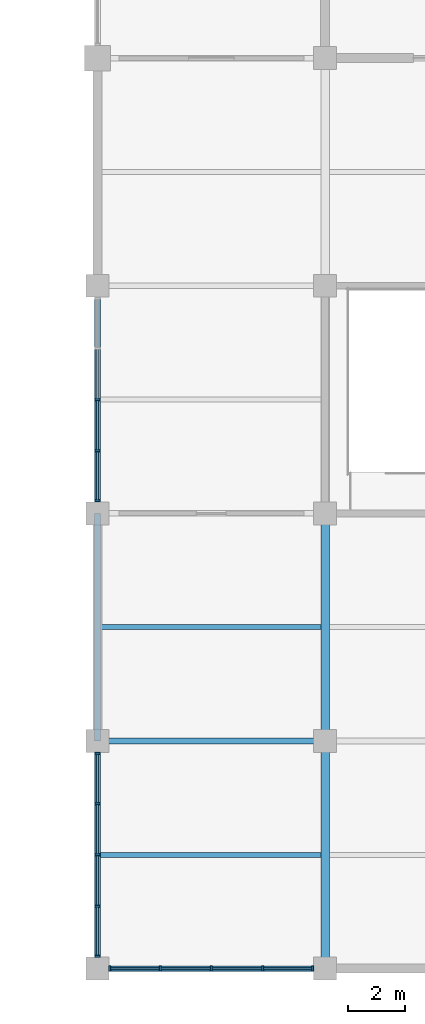
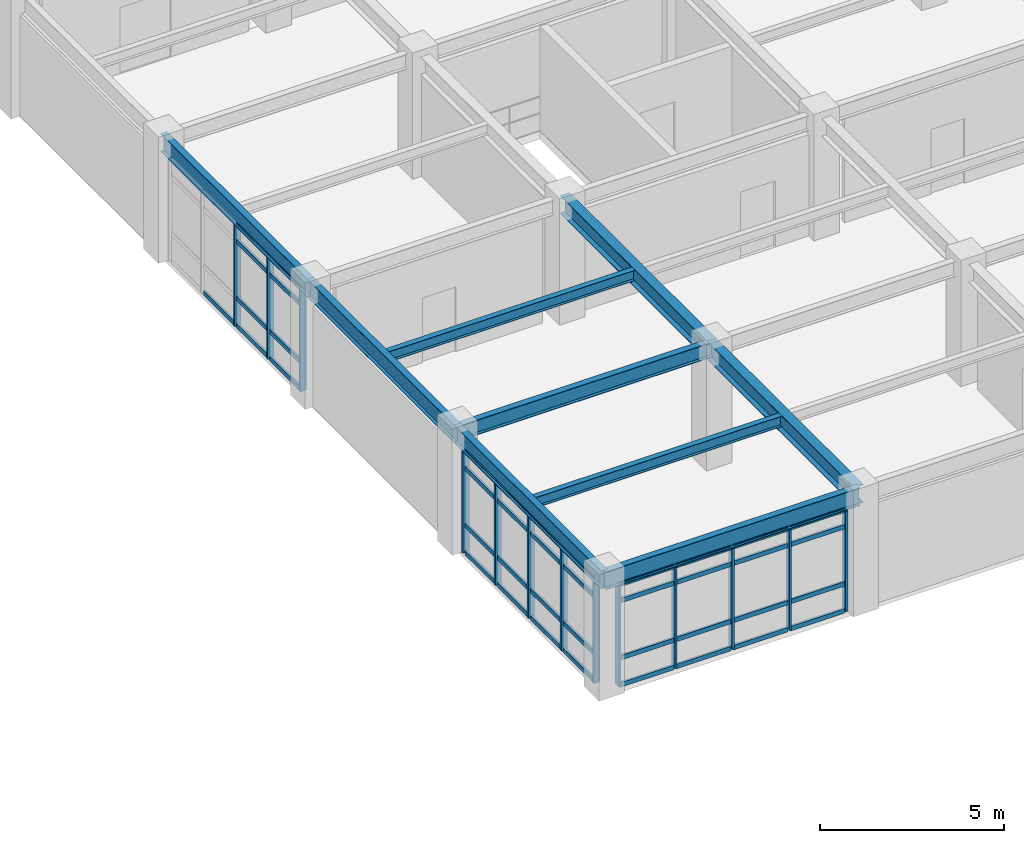
# One storey, part 33 of 118: 54 members, 9 beams, 3 elements without a shape of their own.
"""IFC4 building model written with IfcOpenShell, lengths in metres."""

import ifcopenshell
import ifcopenshell.guid

model = None  # the IFC model being written
_history = None  # IfcOwnerHistory: only IFC2X3 demands one
_inside = {}  # id of a spatial element -> (the spatial element, [elements in it])
_under = {}  # id of a project, library or spatial element -> (it, [spatial elements below it])
_declared = {}  # id of a project -> (the project, [libraries it declares])
_typed = {}  # id of a type object -> (the type object, [elements of that type])
_made_of = {}  # id of a material, layer set ... -> (it, [elements and type objects made of it])


def new_model(schema):
    """Start an empty IFC model of exactly this schema.

    Asked for "IFC4X3", IfcOpenShell would pick the latest addendum, in which some entities
    have other attributes; the version numbers below select the first issue.
    IFC2X3 requires an IfcOwnerHistory on every rooted entity: one is made here for all.
    """
    global model, _history
    if schema == "IFC4X3":
        model = ifcopenshell.file(schema_version=(4, 3, 0, 0))
    else:
        model = ifcopenshell.file(schema=schema)
    _inside.clear()
    _under.clear()
    _declared.clear()
    _typed.clear()
    _made_of.clear()
    _history = None
    if model.schema == "IFC2X3":
        org = make("IfcOrganization", Name="unknown")
        user = make(
            "IfcPersonAndOrganization",
            ThePerson=make("IfcPerson", FamilyName="unknown"),
            TheOrganization=org,
        )
        app = make(
            "IfcApplication",
            ApplicationDeveloper=org,
            Version="unknown",
            ApplicationFullName="unknown",
            ApplicationIdentifier="unknown",
        )
        _history = make(
            "IfcOwnerHistory",
            OwningUser=user,
            OwningApplication=app,
            ChangeAction="ADDED",
            CreationDate=0,
        )
    return model


def make(cls, **values):
    """One entity of the class cls with the attributes given. An attribute that is None is left unset."""
    return model.create_entity(
        cls, **{name: value for name, value in values.items() if value is not None}
    )


def rooted(cls, **values):
    """An entity with a GlobalId (a new one), such as an element, a storey or a relation."""
    return make(cls, GlobalId=ifcopenshell.guid.new(), OwnerHistory=_history, **values)


def si_unit(unit_type, name, prefix=None):
    """IfcSIUnit, for example si_unit("LENGTHUNIT", "METRE", prefix="MILLI")."""
    return make("IfcSIUnit", UnitType=unit_type, Prefix=prefix, Name=name)


def assignment(units):
    """IfcUnitAssignment: the units of a project."""
    return None if units is None else make("IfcUnitAssignment", Units=units)


def point(xyz):
    """IfcCartesianPoint."""
    return None if xyz is None else make("IfcCartesianPoint", Coordinates=xyz)


def direction(xyz):
    """IfcDirection."""
    return None if xyz is None else make("IfcDirection", DirectionRatios=xyz)


def frame(location, z_axis=None, x_axis=None):
    """IfcAxis2Placement3D, a coordinate frame: its origin and axes. An axis left out is left unset."""
    return make(
        "IfcAxis2Placement3D",
        Location=point(location),
        Axis=direction(z_axis),
        RefDirection=direction(x_axis),
    )


def frame_2d(location, x_axis=None):
    """IfcAxis2Placement2D, a coordinate frame in the plane: its origin and x axis."""
    return make(
        "IfcAxis2Placement2D", Location=point(location), RefDirection=direction(x_axis)
    )


def origin():
    """The frame at (0, 0, 0) with its axes left unset."""
    return frame((0.0, 0.0, 0.0))


def origin_2d():
    """The frame at (0, 0) in the plane with its x axis left unset."""
    return frame_2d((0.0, 0.0))


def place(relative_to, where):
    """IfcLocalPlacement: puts the frame where relative to a parent placement (None: the world)."""
    return make(
        "IfcLocalPlacement", PlacementRelTo=relative_to, RelativePlacement=where
    )


def context(
    kind, dimensions, precision=None, world=None, true_north=None, identifier=None
):
    """IfcGeometricRepresentationContext, for example the 3D "Model" context."""
    return make(
        "IfcGeometricRepresentationContext",
        ContextIdentifier=identifier,
        ContextType=kind,
        CoordinateSpaceDimension=dimensions,
        Precision=precision,
        WorldCoordinateSystem=world,
        TrueNorth=true_north,
    )


def subcontext(parent, identifier, kind, view, scale=None):
    """IfcGeometricRepresentationSubContext, for example "Body" below "Model"."""
    return make(
        "IfcGeometricRepresentationSubContext",
        ContextIdentifier=identifier,
        ContextType=kind,
        ParentContext=parent,
        TargetScale=scale,
        TargetView=view,
    )


def project(units=None, contexts=None):
    """IfcProject with its units and contexts."""
    return rooted(
        "IfcProject",
        Name="project",
        RepresentationContexts=contexts,
        UnitsInContext=assignment(units),
    )


def spatial(cls, under=None, at=None, **own):
    """A site, building, storey or space (cls), placed at a placement, below another one or the project."""
    s = rooted(cls, ObjectPlacement=at, **own)
    if under is not None:
        _under.setdefault(under.id(), (under, []))[1].append(s)
    return s


def profile(cls, at=None, kind="AREA", **sizes):
    """A parametric profile (cls). Its sizes go by their IFC names, for example OverallWidth=200.0."""
    return make(cls, ProfileType=kind, Position=at, **sizes)


def rectangle(**sizes):
    """IfcRectangleProfileDef."""
    return profile("IfcRectangleProfileDef", **sizes)


def i_section(**sizes):
    """IfcIShapeProfileDef."""
    return profile("IfcIShapeProfileDef", **sizes)


def extrude(swept, where, along, depth):
    """IfcExtrudedAreaSolid: the profile swept, set in the frame where, extruded along a direction by depth."""
    return make(
        "IfcExtrudedAreaSolid",
        SweptArea=swept,
        Position=where,
        ExtrudedDirection=direction(along),
        Depth=depth,
    )


def shape(context_of_items, identifier, shape_type, items):
    """IfcShapeRepresentation: the items that make up one representation, for example the "Body"."""
    return make(
        "IfcShapeRepresentation",
        ContextOfItems=context_of_items,
        RepresentationIdentifier=identifier,
        RepresentationType=shape_type,
        Items=items,
    )


def material(Name=None, Category=None):
    """IfcMaterial."""
    return make("IfcMaterial", Name=Name, Category=Category)


def layer(
    of_material, thickness, ventilated=None, Name=None, Category=None, Priority=None
):
    """IfcMaterialLayer: one layer of a wall or slab, of a material (None: an air gap)."""
    return make(
        "IfcMaterialLayer",
        Material=of_material,
        LayerThickness=thickness,
        IsVentilated=ventilated,
        Name=Name,
        Category=Category,
        Priority=Priority,
    )


def layer_set(layers, Name=None):
    """IfcMaterialLayerSet."""
    return make("IfcMaterialLayerSet", MaterialLayers=layers, LayerSetName=Name)


def material_profile(
    of_material, cross_section, Name=None, Category=None, Priority=None
):
    """IfcMaterialProfile: a cross section and its material."""
    return make(
        "IfcMaterialProfile",
        Name=Name,
        Material=of_material,
        Profile=cross_section,
        Priority=Priority,
        Category=Category,
    )


def profile_set(profiles, Name=None, composite=None):
    """IfcMaterialProfileSet."""
    return make(
        "IfcMaterialProfileSet",
        Name=Name,
        MaterialProfiles=profiles,
        CompositeProfile=composite,
    )


def made_of(thing, what):
    """Note that an element or type object is made of a material, layer set ...; save() writes the relation."""
    if what is not None:
        _made_of.setdefault(what.id(), (what, []))[1].append(thing)
    return thing


def type_object(cls, material=None, **own):
    """A type object (cls), such as IfcWallType, which elements share."""
    return made_of(rooted(cls, **own), material)


def element(
    cls,
    number,
    at=None,
    inside=None,
    cuts=None,
    type_object=None,
    material=None,
    context=None,
    identifier="Body",
    shape_type=None,
    held_by="IfcProductDefinitionShape",
    body=None,
    shapes=None,
    **own,
):
    """One element of the class cls, such as IfcWall. Its Tag is "e" and its number.

    at: its placement. inside: the storey or other place that contains it. cuts: it is an
    opening in that element (IfcRelVoidsElement). A single representation is given by context,
    identifier, shape_type and body (its items); several are given by shapes. held_by: the class
    of the entity that holds the representations. save() writes the other relations.
    """
    e = rooted(cls, Tag="e%d" % number, ObjectPlacement=at, **own)
    if body is not None:
        shapes = [shape(context, identifier, shape_type, body)]
    if shapes is not None:
        e.Representation = make(held_by, Representations=shapes)
    if inside is not None:
        _inside.setdefault(inside.id(), (inside, []))[1].append(e)
    if cuts is not None:
        rooted(
            "IfcRelVoidsElement", RelatingBuildingElement=cuts, RelatedOpeningElement=e
        )
    if type_object is not None:
        _typed.setdefault(type_object.id(), (type_object, []))[1].append(e)
    return made_of(e, material)


def aggregate(whole, parts):
    """IfcRelAggregates: a whole, such as a stair, and the parts it consists of."""
    return rooted("IfcRelAggregates", RelatingObject=whole, RelatedObjects=parts)


def save(model, path):
    """Write the relations noted so far, then the file.

    IfcRelAggregates (storeys below a building ...), IfcRelContainedInSpatialStructure (elements
    in a storey), IfcRelDefinesByType, IfcRelAssociatesMaterial and IfcRelDeclares: one each for
    every whole, place, type object, material and project.
    """
    for whole, parts in _under.values():
        aggregate(whole, parts)
    for where, things in _inside.values():
        rooted(
            "IfcRelContainedInSpatialStructure",
            RelatedElements=things,
            RelatingStructure=where,
        )
    for kind, things in _typed.values():
        rooted("IfcRelDefinesByType", RelatedObjects=things, RelatingType=kind)
    for what, things in _made_of.values():
        rooted("IfcRelAssociatesMaterial", RelatedObjects=things, RelatingMaterial=what)
    for by, libraries in _declared.values():
        rooted("IfcRelDeclares", RelatingContext=by, RelatedDefinitions=libraries)
    model.write(path)


model = new_model("IFC4")

# Units and contexts
model_context = context("Model", 3, precision=1e-05, world=origin(), true_north=direction((0.0, 1.0)))
body_context = subcontext(model_context, "Body", "Model", "MODEL_VIEW")
ifc_project = project(units=[si_unit("LENGTHUNIT", "METRE"), si_unit("AREAUNIT", "SQUARE_METRE"), si_unit("VOLUMEUNIT", "CUBIC_METRE"), si_unit("PLANEANGLEUNIT", "RADIAN"), si_unit("MASSUNIT", "GRAM", prefix="KILO")], contexts=[model_context])

# Site, building, storey
site_placement = place(None, origin())
site = spatial("IfcSite", under=ifc_project, at=site_placement, CompositionType="ELEMENT")
building_placement = place(site_placement, origin())
building = spatial("IfcBuilding", under=site, at=building_placement, Name="Haebicheon Civic Stadium", CompositionType="ELEMENT")
storey_placement = place(building_placement, frame((0.0, 0.0, 14.39990234375)))
storey = spatial("IfcBuildingStorey", under=building, at=storey_placement, Name="L04", CompositionType="ELEMENT", Elevation=14.39990234375)

# Beams
ifc_material_1 = material(Name="Steel SM355 (S355)", Category="steel")
ifc_material_profile_1 = material_profile(ifc_material_1, i_section(OverallWidth=0.199951171875, OverallDepth=0.5, WebThickness=0.010009765625, FlangeThickness=0.01611328125, at=origin_2d()), Name="H-500x200x10x16")
ifc_profile_set_1 = profile_set([ifc_material_profile_1], Name="Steel SM355 (S355)")
beam_type_1 = type_object("IfcBeamType", Name="BM-ST-H500", PredefinedType="BEAM", material=ifc_profile_set_1)
beam_placement = place(storey_placement, frame((160.0, 8.0, 3.72998046875), z_axis=(1.0, 0.0, 0.0), x_axis=(0.0, 1.0, 0.0)))
element("IfcBeam", 1, at=beam_placement, inside=storey, type_object=beam_type_1, material=ifc_profile_set_1, Name="L04 beam B/21-22", PredefinedType="BEAM", context=body_context, shape_type="SweptSolid", body=[
    extrude(i_section(OverallWidth=0.199951171875, OverallDepth=0.5, WebThickness=0.010009765625, FlangeThickness=0.01611328125, at=origin_2d()), origin(), (0.0, 0.0, 1.0), 8.0),
])
ifc_material_2 = material(Name="Steel SM355 (S355)", Category="steel")
ifc_material_profile_2 = material_profile(ifc_material_2, i_section(OverallWidth=0.300048828125, OverallDepth=0.60009765625, WebThickness=0.011962890625, FlangeThickness=0.02001953125, at=origin_2d()), Name="H-600x300x12x20")
ifc_profile_set_2 = profile_set([ifc_material_profile_2], Name="Steel SM355 (S355)")
beam_type_2 = type_object("IfcBeamType", Name="BM-ST-H600A", PredefinedType="BEAM", material=ifc_profile_set_2)
for number, where, z_axis, x_axis, name in (
    (2, (168.0, 0.0, 3.68017578125), (0.0, 1.0, 0.0), (-1.0, 0.0, 0.0), "L04 girder 22/A-B"),
    (3, (168.0, 8.0, 3.68017578125), (0.0, 1.0, 0.0), (-1.0, 0.0, 0.0), "L04 girder 22/B-C"),
):
    element("IfcBeam", number, at=place(storey_placement, frame(where, z_axis=z_axis, x_axis=x_axis)), inside=storey, type_object=beam_type_2, material=ifc_profile_set_2, Name=name, PredefinedType="BEAM", context=body_context, shape_type="SweptSolid", body=[
        extrude(i_section(OverallWidth=0.300048828125, OverallDepth=0.60009765625, WebThickness=0.011962890625, FlangeThickness=0.02001953125, at=origin_2d()), origin(), (0.0, 0.0, 1.0), 8.0),
    ])

# Curtain wall, members
ifc_material_3 = material(Name="Anodised aluminium and laminated glass", Category="aluminium")
ifc_layer = layer(ifc_material_3, 0.179931640625, Name="Anodised aluminium and laminated glass")
ifc_layer_set = layer_set([ifc_layer], Name="Anodised aluminium and laminated glass")
curtain_wall_type = type_object("IfcCurtainWallType", Name="CW-7200x3350", PredefinedType="NOTDEFINED", material=ifc_layer_set)
curtain_wall_1_placement = place(storey_placement, origin())
curtain_wall_1 = element("IfcCurtainWall", 4, at=curtain_wall_1_placement, inside=storey, type_object=curtain_wall_type, material=ifc_layer_set, Name="L04 unitised curtain wall 150", PredefinedType="NOTDEFINED")
ifc_material_4 = material(Name="Anodised aluminium 6063-T6", Category="aluminium")
ifc_material_profile_3 = material_profile(ifc_material_4, rectangle(XDim=0.070068359375, YDim=0.199951171875, at=origin_2d()), Name="ALU-MULL-70x200")
ifc_profile_set_3 = profile_set([ifc_material_profile_3], Name="Anodised aluminium 6063-T6")
member_type_1 = type_object("IfcMemberType", Name="CWM-200x70", PredefinedType="MULLION", material=ifc_profile_set_3)
member_1_placement = place(storey_placement, frame((160.43505859375, 0.0, 0.0), z_axis=(0.0, 0.0, 1.0), x_axis=(1.0, 0.0, 0.0)))
member_1 = element("IfcMember", 5, at=member_1_placement, type_object=member_type_1, material=ifc_profile_set_3, Name="CW-L04-150 vertical mullion 1", PredefinedType="MULLION", context=body_context, shape_type="SweptSolid", body=[
    extrude(rectangle(XDim=0.070068359375, YDim=0.199951171875, at=origin_2d()), origin(), (0.0, 0.0, 1.0), 3.35009765625),
])
member_2_placement = place(storey_placement, frame((162.199951171875, 0.0, 0.0), z_axis=(0.0, 0.0, 1.0), x_axis=(1.0, 0.0, 0.0)))
member_2 = element("IfcMember", 6, at=member_2_placement, type_object=member_type_1, material=ifc_profile_set_3, Name="CW-L04-150 vertical mullion 2", PredefinedType="MULLION", context=body_context, shape_type="SweptSolid", body=[
    extrude(rectangle(XDim=0.070068359375, YDim=0.199951171875, at=origin_2d()), origin(), (0.0, 0.0, 1.0), 3.35009765625),
])
member_3_placement = place(storey_placement, frame((164.0, 0.0, 0.0), z_axis=(0.0, 0.0, 1.0), x_axis=(1.0, 0.0, 0.0)))
member_3 = element("IfcMember", 7, at=member_3_placement, type_object=member_type_1, material=ifc_profile_set_3, Name="CW-L04-150 vertical mullion 3", PredefinedType="MULLION", context=body_context, shape_type="SweptSolid", body=[
    extrude(rectangle(XDim=0.070068359375, YDim=0.199951171875, at=origin_2d()), origin(), (0.0, 0.0, 1.0), 3.35009765625),
])
member_4_placement = place(storey_placement, frame((165.800048828125, 0.0, 0.0), z_axis=(0.0, 0.0, 1.0), x_axis=(1.0, 0.0, 0.0)))
member_4 = element("IfcMember", 8, at=member_4_placement, type_object=member_type_1, material=ifc_profile_set_3, Name="CW-L04-150 vertical mullion 4", PredefinedType="MULLION", context=body_context, shape_type="SweptSolid", body=[
    extrude(rectangle(XDim=0.070068359375, YDim=0.199951171875, at=origin_2d()), origin(), (0.0, 0.0, 1.0), 3.35009765625),
])
member_5_placement = place(storey_placement, frame((167.56494140625, 0.0, 0.0), z_axis=(0.0, 0.0, 1.0), x_axis=(1.0, 0.0, 0.0)))
member_5 = element("IfcMember", 9, at=member_5_placement, type_object=member_type_1, material=ifc_profile_set_3, Name="CW-L04-150 vertical mullion 5", PredefinedType="MULLION", context=body_context, shape_type="SweptSolid", body=[
    extrude(rectangle(XDim=0.070068359375, YDim=0.199951171875, at=origin_2d()), origin(), (0.0, 0.0, 1.0), 3.35009765625),
])

curtain_wall_2_placement = place(storey_placement, origin())
curtain_wall_2 = element("IfcCurtainWall", 10, at=curtain_wall_2_placement, inside=storey, type_object=curtain_wall_type, material=ifc_layer_set, Name="L04 unitised curtain wall 151", PredefinedType="NOTDEFINED")
member_6_placement = place(storey_placement, frame((160.0, 0.43505859375, 0.0), z_axis=(0.0, 0.0, 1.0), x_axis=(0.0, 1.0, 0.0)))
member_6 = element("IfcMember", 11, at=member_6_placement, type_object=member_type_1, material=ifc_profile_set_3, Name="CW-L04-151 vertical mullion 1", PredefinedType="MULLION", context=body_context, shape_type="SweptSolid", body=[
    extrude(rectangle(XDim=0.070068359375, YDim=0.199951171875, at=origin_2d()), origin(), (0.0, 0.0, 1.0), 3.35009765625),
])
member_7_placement = place(storey_placement, frame((160.0, 2.199951171875, 0.0), z_axis=(0.0, 0.0, 1.0), x_axis=(0.0, 1.0, 0.0)))
member_7 = element("IfcMember", 12, at=member_7_placement, type_object=member_type_1, material=ifc_profile_set_3, Name="CW-L04-151 vertical mullion 2", PredefinedType="MULLION", context=body_context, shape_type="SweptSolid", body=[
    extrude(rectangle(XDim=0.070068359375, YDim=0.199951171875, at=origin_2d()), origin(), (0.0, 0.0, 1.0), 3.35009765625),
])
member_8_placement = place(storey_placement, frame((160.0, 4.0, 0.0), z_axis=(0.0, 0.0, 1.0), x_axis=(0.0, 1.0, 0.0)))
member_8 = element("IfcMember", 13, at=member_8_placement, type_object=member_type_1, material=ifc_profile_set_3, Name="CW-L04-151 vertical mullion 3", PredefinedType="MULLION", context=body_context, shape_type="SweptSolid", body=[
    extrude(rectangle(XDim=0.070068359375, YDim=0.199951171875, at=origin_2d()), origin(), (0.0, 0.0, 1.0), 3.35009765625),
])
member_9_placement = place(storey_placement, frame((160.0, 5.800048828125, 0.0), z_axis=(0.0, 0.0, 1.0), x_axis=(0.0, 1.0, 0.0)))
member_9 = element("IfcMember", 14, at=member_9_placement, type_object=member_type_1, material=ifc_profile_set_3, Name="CW-L04-151 vertical mullion 4", PredefinedType="MULLION", context=body_context, shape_type="SweptSolid", body=[
    extrude(rectangle(XDim=0.070068359375, YDim=0.199951171875, at=origin_2d()), origin(), (0.0, 0.0, 1.0), 3.35009765625),
])
member_10_placement = place(storey_placement, frame((160.0, 7.56494140625, 0.0), z_axis=(0.0, 0.0, 1.0), x_axis=(0.0, 1.0, 0.0)))
member_10 = element("IfcMember", 15, at=member_10_placement, type_object=member_type_1, material=ifc_profile_set_3, Name="CW-L04-151 vertical mullion 5", PredefinedType="MULLION", context=body_context, shape_type="SweptSolid", body=[
    extrude(rectangle(XDim=0.070068359375, YDim=0.199951171875, at=origin_2d()), origin(), (0.0, 0.0, 1.0), 3.35009765625),
])

curtain_wall_3_placement = place(storey_placement, origin())
curtain_wall_3 = element("IfcCurtainWall", 16, at=curtain_wall_3_placement, inside=storey, type_object=curtain_wall_type, material=ifc_layer_set, Name="L04 unitised curtain wall 152", PredefinedType="NOTDEFINED")
member_11_placement = place(storey_placement, frame((160.0, 16.43505859375, 0.0), z_axis=(0.0, 0.0, 1.0), x_axis=(0.0, 1.0, 0.0)))
member_11 = element("IfcMember", 17, at=member_11_placement, type_object=member_type_1, material=ifc_profile_set_3, Name="CW-L04-152 vertical mullion 1", PredefinedType="MULLION", context=body_context, shape_type="SweptSolid", body=[
    extrude(rectangle(XDim=0.070068359375, YDim=0.199951171875, at=origin_2d()), origin(), (0.0, 0.0, 1.0), 3.35009765625),
])
member_12_placement = place(storey_placement, frame((160.0, 18.199951171875, 0.0), z_axis=(0.0, 0.0, 1.0), x_axis=(0.0, 1.0, 0.0)))
member_12 = element("IfcMember", 18, at=member_12_placement, type_object=member_type_1, material=ifc_profile_set_3, Name="CW-L04-152 vertical mullion 2", PredefinedType="MULLION", context=body_context, shape_type="SweptSolid", body=[
    extrude(rectangle(XDim=0.070068359375, YDim=0.199951171875, at=origin_2d()), origin(), (0.0, 0.0, 1.0), 3.35009765625),
])
member_13_placement = place(storey_placement, frame((160.0, 20.0, 0.0), z_axis=(0.0, 0.0, 1.0), x_axis=(0.0, 1.0, 0.0)))
member_13 = element("IfcMember", 19, at=member_13_placement, type_object=member_type_1, material=ifc_profile_set_3, Name="CW-L04-152 vertical mullion 3", PredefinedType="MULLION", context=body_context, shape_type="SweptSolid", body=[
    extrude(rectangle(XDim=0.070068359375, YDim=0.199951171875, at=origin_2d()), origin(), (0.0, 0.0, 1.0), 3.35009765625),
])

# Member
ifc_material_5 = material(Name="Anodised aluminium 6063-T6", Category="aluminium")
ifc_material_profile_4 = material_profile(ifc_material_5, rectangle(XDim=0.070068359375, YDim=0.14990234375, at=origin_2d()), Name="ALU-TRAN-70x150")
ifc_profile_set_4 = profile_set([ifc_material_profile_4], Name="Anodised aluminium 6063-T6")
member_type_2 = type_object("IfcMemberType", Name="CWT-150x70", PredefinedType="NOTDEFINED", material=ifc_profile_set_4)
member_14_placement = place(storey_placement, frame((160.469970703125, 0.0, 0.0), z_axis=(1.0, 0.0, 0.0), x_axis=(0.0, 1.0, 0.0)))
member_14 = element("IfcMember", 20, at=member_14_placement, type_object=member_type_2, material=ifc_profile_set_4, Name="CW-L04-150 horizontal transom 1.1", ObjectType="TRANSOM", PredefinedType="USERDEFINED", context=body_context, shape_type="SweptSolid", body=[
    extrude(rectangle(XDim=0.070068359375, YDim=0.14990234375, at=origin_2d()), origin(), (0.0, 0.0, 1.0), 1.695068359375),
])

member_15_placement = place(storey_placement, frame((160.469970703125, 0.0, 0.900146484375), z_axis=(1.0, 0.0, 0.0), x_axis=(0.0, 1.0, 0.0)))
member_15 = element("IfcMember", 21, at=member_15_placement, type_object=member_type_2, material=ifc_profile_set_4, Name="CW-L04-150 horizontal transom 1.2", ObjectType="TRANSOM", PredefinedType="USERDEFINED", context=body_context, shape_type="SweptSolid", body=[
    extrude(rectangle(XDim=0.070068359375, YDim=0.14990234375, at=origin_2d()), origin(), (0.0, 0.0, 1.0), 1.695068359375),
])

member_16_placement = place(storey_placement, frame((160.469970703125, 0.0, 2.800048828125), z_axis=(1.0, 0.0, 0.0), x_axis=(0.0, 1.0, 0.0)))
member_16 = element("IfcMember", 22, at=member_16_placement, type_object=member_type_2, material=ifc_profile_set_4, Name="CW-L04-150 horizontal transom 1.3", ObjectType="TRANSOM", PredefinedType="USERDEFINED", context=body_context, shape_type="SweptSolid", body=[
    extrude(rectangle(XDim=0.070068359375, YDim=0.14990234375, at=origin_2d()), origin(), (0.0, 0.0, 1.0), 1.695068359375),
])

member_17_placement = place(storey_placement, frame((160.469970703125, 0.0, 3.35009765625), z_axis=(1.0, 0.0, 0.0), x_axis=(0.0, 1.0, 0.0)))
member_17 = element("IfcMember", 23, at=member_17_placement, type_object=member_type_2, material=ifc_profile_set_4, Name="CW-L04-150 horizontal transom 1.4", ObjectType="TRANSOM", PredefinedType="USERDEFINED", context=body_context, shape_type="SweptSolid", body=[
    extrude(rectangle(XDim=0.070068359375, YDim=0.14990234375, at=origin_2d()), origin(), (0.0, 0.0, 1.0), 1.695068359375),
])

member_18_placement = place(storey_placement, frame((162.235107421875, 0.0, 0.0), z_axis=(1.0, 0.0, 0.0), x_axis=(0.0, 1.0, 0.0)))
member_18 = element("IfcMember", 24, at=member_18_placement, type_object=member_type_2, material=ifc_profile_set_4, Name="CW-L04-150 horizontal transom 2.1", ObjectType="TRANSOM", PredefinedType="USERDEFINED", context=body_context, shape_type="SweptSolid", body=[
    extrude(rectangle(XDim=0.070068359375, YDim=0.14990234375, at=origin_2d()), origin(), (0.0, 0.0, 1.0), 1.72998046875),
])

member_19_placement = place(storey_placement, frame((162.235107421875, 0.0, 0.900146484375), z_axis=(1.0, 0.0, 0.0), x_axis=(0.0, 1.0, 0.0)))
member_19 = element("IfcMember", 25, at=member_19_placement, type_object=member_type_2, material=ifc_profile_set_4, Name="CW-L04-150 horizontal transom 2.2", ObjectType="TRANSOM", PredefinedType="USERDEFINED", context=body_context, shape_type="SweptSolid", body=[
    extrude(rectangle(XDim=0.070068359375, YDim=0.14990234375, at=origin_2d()), origin(), (0.0, 0.0, 1.0), 1.72998046875),
])

member_20_placement = place(storey_placement, frame((162.235107421875, 0.0, 2.800048828125), z_axis=(1.0, 0.0, 0.0), x_axis=(0.0, 1.0, 0.0)))
member_20 = element("IfcMember", 26, at=member_20_placement, type_object=member_type_2, material=ifc_profile_set_4, Name="CW-L04-150 horizontal transom 2.3", ObjectType="TRANSOM", PredefinedType="USERDEFINED", context=body_context, shape_type="SweptSolid", body=[
    extrude(rectangle(XDim=0.070068359375, YDim=0.14990234375, at=origin_2d()), origin(), (0.0, 0.0, 1.0), 1.72998046875),
])

member_21_placement = place(storey_placement, frame((162.235107421875, 0.0, 3.35009765625), z_axis=(1.0, 0.0, 0.0), x_axis=(0.0, 1.0, 0.0)))
member_21 = element("IfcMember", 27, at=member_21_placement, type_object=member_type_2, material=ifc_profile_set_4, Name="CW-L04-150 horizontal transom 2.4", ObjectType="TRANSOM", PredefinedType="USERDEFINED", context=body_context, shape_type="SweptSolid", body=[
    extrude(rectangle(XDim=0.070068359375, YDim=0.14990234375, at=origin_2d()), origin(), (0.0, 0.0, 1.0), 1.72998046875),
])

member_22_placement = place(storey_placement, frame((164.034912109375, 0.0, 0.0), z_axis=(1.0, 0.0, 0.0), x_axis=(0.0, 1.0, 0.0)))
member_22 = element("IfcMember", 28, at=member_22_placement, type_object=member_type_2, material=ifc_profile_set_4, Name="CW-L04-150 horizontal transom 3.1", ObjectType="TRANSOM", PredefinedType="USERDEFINED", context=body_context, shape_type="SweptSolid", body=[
    extrude(rectangle(XDim=0.070068359375, YDim=0.14990234375, at=origin_2d()), origin(), (0.0, 0.0, 1.0), 1.72998046875),
])

member_23_placement = place(storey_placement, frame((164.034912109375, 0.0, 0.900146484375), z_axis=(1.0, 0.0, 0.0), x_axis=(0.0, 1.0, 0.0)))
member_23 = element("IfcMember", 29, at=member_23_placement, type_object=member_type_2, material=ifc_profile_set_4, Name="CW-L04-150 horizontal transom 3.2", ObjectType="TRANSOM", PredefinedType="USERDEFINED", context=body_context, shape_type="SweptSolid", body=[
    extrude(rectangle(XDim=0.070068359375, YDim=0.14990234375, at=origin_2d()), origin(), (0.0, 0.0, 1.0), 1.72998046875),
])

member_24_placement = place(storey_placement, frame((164.034912109375, 0.0, 2.800048828125), z_axis=(1.0, 0.0, 0.0), x_axis=(0.0, 1.0, 0.0)))
member_24 = element("IfcMember", 30, at=member_24_placement, type_object=member_type_2, material=ifc_profile_set_4, Name="CW-L04-150 horizontal transom 3.3", ObjectType="TRANSOM", PredefinedType="USERDEFINED", context=body_context, shape_type="SweptSolid", body=[
    extrude(rectangle(XDim=0.070068359375, YDim=0.14990234375, at=origin_2d()), origin(), (0.0, 0.0, 1.0), 1.72998046875),
])

member_25_placement = place(storey_placement, frame((164.034912109375, 0.0, 3.35009765625), z_axis=(1.0, 0.0, 0.0), x_axis=(0.0, 1.0, 0.0)))
member_25 = element("IfcMember", 31, at=member_25_placement, type_object=member_type_2, material=ifc_profile_set_4, Name="CW-L04-150 horizontal transom 3.4", ObjectType="TRANSOM", PredefinedType="USERDEFINED", context=body_context, shape_type="SweptSolid", body=[
    extrude(rectangle(XDim=0.070068359375, YDim=0.14990234375, at=origin_2d()), origin(), (0.0, 0.0, 1.0), 1.72998046875),
])

member_26_placement = place(storey_placement, frame((165.8349609375, 0.0, 0.0), z_axis=(1.0, 0.0, 0.0), x_axis=(0.0, 1.0, 0.0)))
member_26 = element("IfcMember", 32, at=member_26_placement, type_object=member_type_2, material=ifc_profile_set_4, Name="CW-L04-150 horizontal transom 4.1", ObjectType="TRANSOM", PredefinedType="USERDEFINED", context=body_context, shape_type="SweptSolid", body=[
    extrude(rectangle(XDim=0.070068359375, YDim=0.14990234375, at=origin_2d()), origin(), (0.0, 0.0, 1.0), 1.695068359375),
])

member_27_placement = place(storey_placement, frame((165.8349609375, 0.0, 0.900146484375), z_axis=(1.0, 0.0, 0.0), x_axis=(0.0, 1.0, 0.0)))
member_27 = element("IfcMember", 33, at=member_27_placement, type_object=member_type_2, material=ifc_profile_set_4, Name="CW-L04-150 horizontal transom 4.2", ObjectType="TRANSOM", PredefinedType="USERDEFINED", context=body_context, shape_type="SweptSolid", body=[
    extrude(rectangle(XDim=0.070068359375, YDim=0.14990234375, at=origin_2d()), origin(), (0.0, 0.0, 1.0), 1.695068359375),
])

member_28_placement = place(storey_placement, frame((165.8349609375, 0.0, 2.800048828125), z_axis=(1.0, 0.0, 0.0), x_axis=(0.0, 1.0, 0.0)))
member_28 = element("IfcMember", 34, at=member_28_placement, type_object=member_type_2, material=ifc_profile_set_4, Name="CW-L04-150 horizontal transom 4.3", ObjectType="TRANSOM", PredefinedType="USERDEFINED", context=body_context, shape_type="SweptSolid", body=[
    extrude(rectangle(XDim=0.070068359375, YDim=0.14990234375, at=origin_2d()), origin(), (0.0, 0.0, 1.0), 1.695068359375),
])

member_29_placement = place(storey_placement, frame((165.8349609375, 0.0, 3.35009765625), z_axis=(1.0, 0.0, 0.0), x_axis=(0.0, 1.0, 0.0)))
member_29 = element("IfcMember", 35, at=member_29_placement, type_object=member_type_2, material=ifc_profile_set_4, Name="CW-L04-150 horizontal transom 4.4", ObjectType="TRANSOM", PredefinedType="USERDEFINED", context=body_context, shape_type="SweptSolid", body=[
    extrude(rectangle(XDim=0.070068359375, YDim=0.14990234375, at=origin_2d()), origin(), (0.0, 0.0, 1.0), 1.695068359375),
])

aggregate(curtain_wall_1, [member_1, member_2, member_3, member_4, member_5, member_14, member_15, member_16, member_17, member_18, member_19, member_20, member_21, member_22, member_23, member_24, member_25, member_26, member_27, member_28, member_29])

member_30_placement = place(storey_placement, frame((160.0, 0.469970703125, 0.0), z_axis=(0.0, 1.0, 0.0), x_axis=(-1.0, 0.0, 0.0)))
member_30 = element("IfcMember", 36, at=member_30_placement, type_object=member_type_2, material=ifc_profile_set_4, Name="CW-L04-151 horizontal transom 1.1", ObjectType="TRANSOM", PredefinedType="USERDEFINED", context=body_context, shape_type="SweptSolid", body=[
    extrude(rectangle(XDim=0.070068359375, YDim=0.14990234375, at=origin_2d()), origin(), (0.0, 0.0, 1.0), 1.695068359375),
])

member_31_placement = place(storey_placement, frame((160.0, 0.469970703125, 0.900146484375), z_axis=(0.0, 1.0, 0.0), x_axis=(-1.0, 0.0, 0.0)))
member_31 = element("IfcMember", 37, at=member_31_placement, type_object=member_type_2, material=ifc_profile_set_4, Name="CW-L04-151 horizontal transom 1.2", ObjectType="TRANSOM", PredefinedType="USERDEFINED", context=body_context, shape_type="SweptSolid", body=[
    extrude(rectangle(XDim=0.070068359375, YDim=0.14990234375, at=origin_2d()), origin(), (0.0, 0.0, 1.0), 1.695068359375),
])

member_32_placement = place(storey_placement, frame((160.0, 0.469970703125, 2.800048828125), z_axis=(0.0, 1.0, 0.0), x_axis=(-1.0, 0.0, 0.0)))
member_32 = element("IfcMember", 38, at=member_32_placement, type_object=member_type_2, material=ifc_profile_set_4, Name="CW-L04-151 horizontal transom 1.3", ObjectType="TRANSOM", PredefinedType="USERDEFINED", context=body_context, shape_type="SweptSolid", body=[
    extrude(rectangle(XDim=0.070068359375, YDim=0.14990234375, at=origin_2d()), origin(), (0.0, 0.0, 1.0), 1.695068359375),
])

member_33_placement = place(storey_placement, frame((160.0, 0.469970703125, 3.35009765625), z_axis=(0.0, 1.0, 0.0), x_axis=(-1.0, 0.0, 0.0)))
member_33 = element("IfcMember", 39, at=member_33_placement, type_object=member_type_2, material=ifc_profile_set_4, Name="CW-L04-151 horizontal transom 1.4", ObjectType="TRANSOM", PredefinedType="USERDEFINED", context=body_context, shape_type="SweptSolid", body=[
    extrude(rectangle(XDim=0.070068359375, YDim=0.14990234375, at=origin_2d()), origin(), (0.0, 0.0, 1.0), 1.695068359375),
])

member_34_placement = place(storey_placement, frame((160.0, 2.235107421875, 0.0), z_axis=(0.0, 1.0, 0.0), x_axis=(-1.0, 0.0, 0.0)))
member_34 = element("IfcMember", 40, at=member_34_placement, type_object=member_type_2, material=ifc_profile_set_4, Name="CW-L04-151 horizontal transom 2.1", ObjectType="TRANSOM", PredefinedType="USERDEFINED", context=body_context, shape_type="SweptSolid", body=[
    extrude(rectangle(XDim=0.070068359375, YDim=0.14990234375, at=origin_2d()), origin(), (0.0, 0.0, 1.0), 1.72998046875),
])

member_35_placement = place(storey_placement, frame((160.0, 2.235107421875, 0.900146484375), z_axis=(0.0, 1.0, 0.0), x_axis=(-1.0, 0.0, 0.0)))
member_35 = element("IfcMember", 41, at=member_35_placement, type_object=member_type_2, material=ifc_profile_set_4, Name="CW-L04-151 horizontal transom 2.2", ObjectType="TRANSOM", PredefinedType="USERDEFINED", context=body_context, shape_type="SweptSolid", body=[
    extrude(rectangle(XDim=0.070068359375, YDim=0.14990234375, at=origin_2d()), origin(), (0.0, 0.0, 1.0), 1.72998046875),
])

member_36_placement = place(storey_placement, frame((160.0, 2.235107421875, 2.800048828125), z_axis=(0.0, 1.0, 0.0), x_axis=(-1.0, 0.0, 0.0)))
member_36 = element("IfcMember", 42, at=member_36_placement, type_object=member_type_2, material=ifc_profile_set_4, Name="CW-L04-151 horizontal transom 2.3", ObjectType="TRANSOM", PredefinedType="USERDEFINED", context=body_context, shape_type="SweptSolid", body=[
    extrude(rectangle(XDim=0.070068359375, YDim=0.14990234375, at=origin_2d()), origin(), (0.0, 0.0, 1.0), 1.72998046875),
])

member_37_placement = place(storey_placement, frame((160.0, 2.235107421875, 3.35009765625), z_axis=(0.0, 1.0, 0.0), x_axis=(-1.0, 0.0, 0.0)))
member_37 = element("IfcMember", 43, at=member_37_placement, type_object=member_type_2, material=ifc_profile_set_4, Name="CW-L04-151 horizontal transom 2.4", ObjectType="TRANSOM", PredefinedType="USERDEFINED", context=body_context, shape_type="SweptSolid", body=[
    extrude(rectangle(XDim=0.070068359375, YDim=0.14990234375, at=origin_2d()), origin(), (0.0, 0.0, 1.0), 1.72998046875),
])

member_38_placement = place(storey_placement, frame((160.0, 4.034912109375, 0.0), z_axis=(0.0, 1.0, 0.0), x_axis=(-1.0, 0.0, 0.0)))
member_38 = element("IfcMember", 44, at=member_38_placement, type_object=member_type_2, material=ifc_profile_set_4, Name="CW-L04-151 horizontal transom 3.1", ObjectType="TRANSOM", PredefinedType="USERDEFINED", context=body_context, shape_type="SweptSolid", body=[
    extrude(rectangle(XDim=0.070068359375, YDim=0.14990234375, at=origin_2d()), origin(), (0.0, 0.0, 1.0), 1.72998046875),
])

member_39_placement = place(storey_placement, frame((160.0, 4.034912109375, 0.900146484375), z_axis=(0.0, 1.0, 0.0), x_axis=(-1.0, 0.0, 0.0)))
member_39 = element("IfcMember", 45, at=member_39_placement, type_object=member_type_2, material=ifc_profile_set_4, Name="CW-L04-151 horizontal transom 3.2", ObjectType="TRANSOM", PredefinedType="USERDEFINED", context=body_context, shape_type="SweptSolid", body=[
    extrude(rectangle(XDim=0.070068359375, YDim=0.14990234375, at=origin_2d()), origin(), (0.0, 0.0, 1.0), 1.72998046875),
])

member_40_placement = place(storey_placement, frame((160.0, 4.034912109375, 2.800048828125), z_axis=(0.0, 1.0, 0.0), x_axis=(-1.0, 0.0, 0.0)))
member_40 = element("IfcMember", 46, at=member_40_placement, type_object=member_type_2, material=ifc_profile_set_4, Name="CW-L04-151 horizontal transom 3.3", ObjectType="TRANSOM", PredefinedType="USERDEFINED", context=body_context, shape_type="SweptSolid", body=[
    extrude(rectangle(XDim=0.070068359375, YDim=0.14990234375, at=origin_2d()), origin(), (0.0, 0.0, 1.0), 1.72998046875),
])

member_41_placement = place(storey_placement, frame((160.0, 4.034912109375, 3.35009765625), z_axis=(0.0, 1.0, 0.0), x_axis=(-1.0, 0.0, 0.0)))
member_41 = element("IfcMember", 47, at=member_41_placement, type_object=member_type_2, material=ifc_profile_set_4, Name="CW-L04-151 horizontal transom 3.4", ObjectType="TRANSOM", PredefinedType="USERDEFINED", context=body_context, shape_type="SweptSolid", body=[
    extrude(rectangle(XDim=0.070068359375, YDim=0.14990234375, at=origin_2d()), origin(), (0.0, 0.0, 1.0), 1.72998046875),
])

member_42_placement = place(storey_placement, frame((160.0, 5.8349609375, 0.0), z_axis=(0.0, 1.0, 0.0), x_axis=(-1.0, 0.0, 0.0)))
member_42 = element("IfcMember", 48, at=member_42_placement, type_object=member_type_2, material=ifc_profile_set_4, Name="CW-L04-151 horizontal transom 4.1", ObjectType="TRANSOM", PredefinedType="USERDEFINED", context=body_context, shape_type="SweptSolid", body=[
    extrude(rectangle(XDim=0.070068359375, YDim=0.14990234375, at=origin_2d()), origin(), (0.0, 0.0, 1.0), 1.695068359375),
])

member_43_placement = place(storey_placement, frame((160.0, 5.8349609375, 0.900146484375), z_axis=(0.0, 1.0, 0.0), x_axis=(-1.0, 0.0, 0.0)))
member_43 = element("IfcMember", 49, at=member_43_placement, type_object=member_type_2, material=ifc_profile_set_4, Name="CW-L04-151 horizontal transom 4.2", ObjectType="TRANSOM", PredefinedType="USERDEFINED", context=body_context, shape_type="SweptSolid", body=[
    extrude(rectangle(XDim=0.070068359375, YDim=0.14990234375, at=origin_2d()), origin(), (0.0, 0.0, 1.0), 1.695068359375),
])

member_44_placement = place(storey_placement, frame((160.0, 5.8349609375, 2.800048828125), z_axis=(0.0, 1.0, 0.0), x_axis=(-1.0, 0.0, 0.0)))
member_44 = element("IfcMember", 50, at=member_44_placement, type_object=member_type_2, material=ifc_profile_set_4, Name="CW-L04-151 horizontal transom 4.3", ObjectType="TRANSOM", PredefinedType="USERDEFINED", context=body_context, shape_type="SweptSolid", body=[
    extrude(rectangle(XDim=0.070068359375, YDim=0.14990234375, at=origin_2d()), origin(), (0.0, 0.0, 1.0), 1.695068359375),
])

member_45_placement = place(storey_placement, frame((160.0, 5.8349609375, 3.35009765625), z_axis=(0.0, 1.0, 0.0), x_axis=(-1.0, 0.0, 0.0)))
member_45 = element("IfcMember", 51, at=member_45_placement, type_object=member_type_2, material=ifc_profile_set_4, Name="CW-L04-151 horizontal transom 4.4", ObjectType="TRANSOM", PredefinedType="USERDEFINED", context=body_context, shape_type="SweptSolid", body=[
    extrude(rectangle(XDim=0.070068359375, YDim=0.14990234375, at=origin_2d()), origin(), (0.0, 0.0, 1.0), 1.695068359375),
])

aggregate(curtain_wall_2, [member_6, member_7, member_8, member_9, member_10, member_30, member_31, member_32, member_33, member_34, member_35, member_36, member_37, member_38, member_39, member_40, member_41, member_42, member_43, member_44, member_45])

member_46_placement = place(storey_placement, frame((160.0, 16.469970703125, 0.0), z_axis=(0.0, 1.0, 0.0), x_axis=(-1.0, 0.0, 0.0)))
member_46 = element("IfcMember", 52, at=member_46_placement, type_object=member_type_2, material=ifc_profile_set_4, Name="CW-L04-152 horizontal transom 1.1", ObjectType="TRANSOM", PredefinedType="USERDEFINED", context=body_context, shape_type="SweptSolid", body=[
    extrude(rectangle(XDim=0.070068359375, YDim=0.14990234375, at=origin_2d()), origin(), (0.0, 0.0, 1.0), 1.695068359375),
])

member_47_placement = place(storey_placement, frame((160.0, 16.469970703125, 0.900146484375), z_axis=(0.0, 1.0, 0.0), x_axis=(-1.0, 0.0, 0.0)))
member_47 = element("IfcMember", 53, at=member_47_placement, type_object=member_type_2, material=ifc_profile_set_4, Name="CW-L04-152 horizontal transom 1.2", ObjectType="TRANSOM", PredefinedType="USERDEFINED", context=body_context, shape_type="SweptSolid", body=[
    extrude(rectangle(XDim=0.070068359375, YDim=0.14990234375, at=origin_2d()), origin(), (0.0, 0.0, 1.0), 1.695068359375),
])

member_48_placement = place(storey_placement, frame((160.0, 16.469970703125, 2.800048828125), z_axis=(0.0, 1.0, 0.0), x_axis=(-1.0, 0.0, 0.0)))
member_48 = element("IfcMember", 54, at=member_48_placement, type_object=member_type_2, material=ifc_profile_set_4, Name="CW-L04-152 horizontal transom 1.3", ObjectType="TRANSOM", PredefinedType="USERDEFINED", context=body_context, shape_type="SweptSolid", body=[
    extrude(rectangle(XDim=0.070068359375, YDim=0.14990234375, at=origin_2d()), origin(), (0.0, 0.0, 1.0), 1.695068359375),
])

member_49_placement = place(storey_placement, frame((160.0, 16.469970703125, 3.35009765625), z_axis=(0.0, 1.0, 0.0), x_axis=(-1.0, 0.0, 0.0)))
member_49 = element("IfcMember", 55, at=member_49_placement, type_object=member_type_2, material=ifc_profile_set_4, Name="CW-L04-152 horizontal transom 1.4", ObjectType="TRANSOM", PredefinedType="USERDEFINED", context=body_context, shape_type="SweptSolid", body=[
    extrude(rectangle(XDim=0.070068359375, YDim=0.14990234375, at=origin_2d()), origin(), (0.0, 0.0, 1.0), 1.695068359375),
])

member_50_placement = place(storey_placement, frame((160.0, 18.235107421875, 0.0), z_axis=(0.0, 1.0, 0.0), x_axis=(-1.0, 0.0, 0.0)))
member_50 = element("IfcMember", 56, at=member_50_placement, type_object=member_type_2, material=ifc_profile_set_4, Name="CW-L04-152 horizontal transom 2.1", ObjectType="TRANSOM", PredefinedType="USERDEFINED", context=body_context, shape_type="SweptSolid", body=[
    extrude(rectangle(XDim=0.070068359375, YDim=0.14990234375, at=origin_2d()), origin(), (0.0, 0.0, 1.0), 1.72998046875),
])

member_51_placement = place(storey_placement, frame((160.0, 18.235107421875, 0.900146484375), z_axis=(0.0, 1.0, 0.0), x_axis=(-1.0, 0.0, 0.0)))
member_51 = element("IfcMember", 57, at=member_51_placement, type_object=member_type_2, material=ifc_profile_set_4, Name="CW-L04-152 horizontal transom 2.2", ObjectType="TRANSOM", PredefinedType="USERDEFINED", context=body_context, shape_type="SweptSolid", body=[
    extrude(rectangle(XDim=0.070068359375, YDim=0.14990234375, at=origin_2d()), origin(), (0.0, 0.0, 1.0), 1.72998046875),
])

member_52_placement = place(storey_placement, frame((160.0, 18.235107421875, 2.800048828125), z_axis=(0.0, 1.0, 0.0), x_axis=(-1.0, 0.0, 0.0)))
member_52 = element("IfcMember", 58, at=member_52_placement, type_object=member_type_2, material=ifc_profile_set_4, Name="CW-L04-152 horizontal transom 2.3", ObjectType="TRANSOM", PredefinedType="USERDEFINED", context=body_context, shape_type="SweptSolid", body=[
    extrude(rectangle(XDim=0.070068359375, YDim=0.14990234375, at=origin_2d()), origin(), (0.0, 0.0, 1.0), 1.72998046875),
])

member_53_placement = place(storey_placement, frame((160.0, 18.235107421875, 3.35009765625), z_axis=(0.0, 1.0, 0.0), x_axis=(-1.0, 0.0, 0.0)))
member_53 = element("IfcMember", 59, at=member_53_placement, type_object=member_type_2, material=ifc_profile_set_4, Name="CW-L04-152 horizontal transom 2.4", ObjectType="TRANSOM", PredefinedType="USERDEFINED", context=body_context, shape_type="SweptSolid", body=[
    extrude(rectangle(XDim=0.070068359375, YDim=0.14990234375, at=origin_2d()), origin(), (0.0, 0.0, 1.0), 1.72998046875),
])

member_54_placement = place(storey_placement, frame((160.0, 20.034912109375, 0.0), z_axis=(0.0, 1.0, 0.0), x_axis=(-1.0, 0.0, 0.0)))
member_54 = element("IfcMember", 60, at=member_54_placement, type_object=member_type_2, material=ifc_profile_set_4, Name="CW-L04-152 horizontal transom 3.1", ObjectType="TRANSOM", PredefinedType="USERDEFINED", context=body_context, shape_type="SweptSolid", body=[
    extrude(rectangle(XDim=0.070068359375, YDim=0.14990234375, at=origin_2d()), origin(), (0.0, 0.0, 1.0), 1.72998046875),
])

aggregate(curtain_wall_3, [member_11, member_12, member_13, member_46, member_47, member_48, member_49, member_50, member_51, member_52, member_53, member_54])

# Beams
ifc_material_6 = material(Name="Steel SM355 (S355)", Category="steel")
ifc_material_profile_5 = material_profile(ifc_material_6, i_section(OverallWidth=0.175048828125, OverallDepth=0.35009765625, WebThickness=0.007080078125, FlangeThickness=0.010986328125, at=origin_2d()), Name="H-350x175x7x11")
ifc_profile_set_5 = profile_set([ifc_material_profile_5], Name="Steel SM355 (S355)")
beam_type_3 = type_object("IfcBeamType", Name="JST-ST-H350", PredefinedType="JOIST", material=ifc_profile_set_5)
for number, where, z_axis, x_axis, name in (
    (61, (160.10009765625, 4.0, 3.80517578125), (1.0, 0.0, 0.0), (0.0, 1.0, 0.0), "L04 secondary joist 20-00"),
    (62, (160.10009765625, 12.0, 3.80517578125), (1.0, 0.0, 0.0), (0.0, 1.0, 0.0), "L04 secondary joist 20-01"),
):
    element("IfcBeam", number, at=place(storey_placement, frame(where, z_axis=z_axis, x_axis=x_axis)), inside=storey, type_object=beam_type_3, material=ifc_profile_set_5, Name=name, PredefinedType="JOIST", context=body_context, shape_type="SweptSolid", body=[
        extrude(i_section(OverallWidth=0.175048828125, OverallDepth=0.35009765625, WebThickness=0.007080078125, FlangeThickness=0.010986328125, at=origin_2d()), origin(), (0.0, 0.0, 1.0), 7.75),
    ])
ifc_material_7 = material(Name="Steel SM355 (S355)", Category="steel")
ifc_material_profile_6 = material_profile(ifc_material_7, i_section(OverallWidth=0.199951171875, OverallDepth=0.60009765625, WebThickness=0.010986328125, FlangeThickness=0.01708984375, at=origin_2d()), Name="H-600x200x11x17")
ifc_profile_set_6 = profile_set([ifc_material_profile_6], Name="Steel SM355 (S355)")
beam_type_4 = type_object("IfcBeamType", Name="SPD-ST-H600B", PredefinedType="SPANDREL", material=ifc_profile_set_6)
for number, where, z_axis, x_axis, name in (
    (63, (160.0, 0.0, 3.68017578125), (0.0, 1.0, 0.0), (-1.0, 0.0, 0.0), "L04 girder 21/A-B"),
    (64, (160.0, 8.0, 3.68017578125), (0.0, 1.0, 0.0), (-1.0, 0.0, 0.0), "L04 girder 21/B-C"),
    (65, (160.0, 16.0, 3.68017578125), (0.0, 1.0, 0.0), (-1.0, 0.0, 0.0), "L04 girder 21/C-D"),
    (66, (160.0, 0.0, 3.68017578125), (1.0, 0.0, 0.0), (0.0, 1.0, 0.0), "L04 beam A/21-22"),
):
    element("IfcBeam", number, at=place(storey_placement, frame(where, z_axis=z_axis, x_axis=x_axis)), inside=storey, type_object=beam_type_4, material=ifc_profile_set_6, Name=name, PredefinedType="SPANDREL", context=body_context, shape_type="SweptSolid", body=[
        extrude(i_section(OverallWidth=0.199951171875, OverallDepth=0.60009765625, WebThickness=0.010986328125, FlangeThickness=0.01708984375, at=origin_2d()), origin(), (0.0, 0.0, 1.0), 8.0),
    ])

save(model, "model.ifc")
